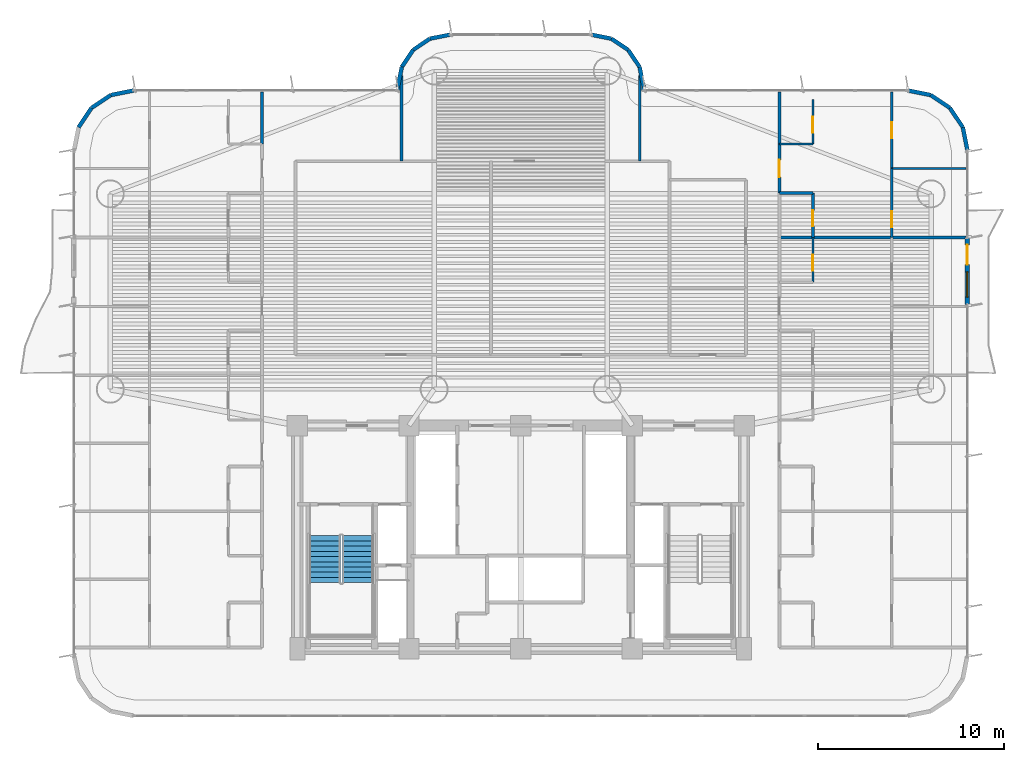
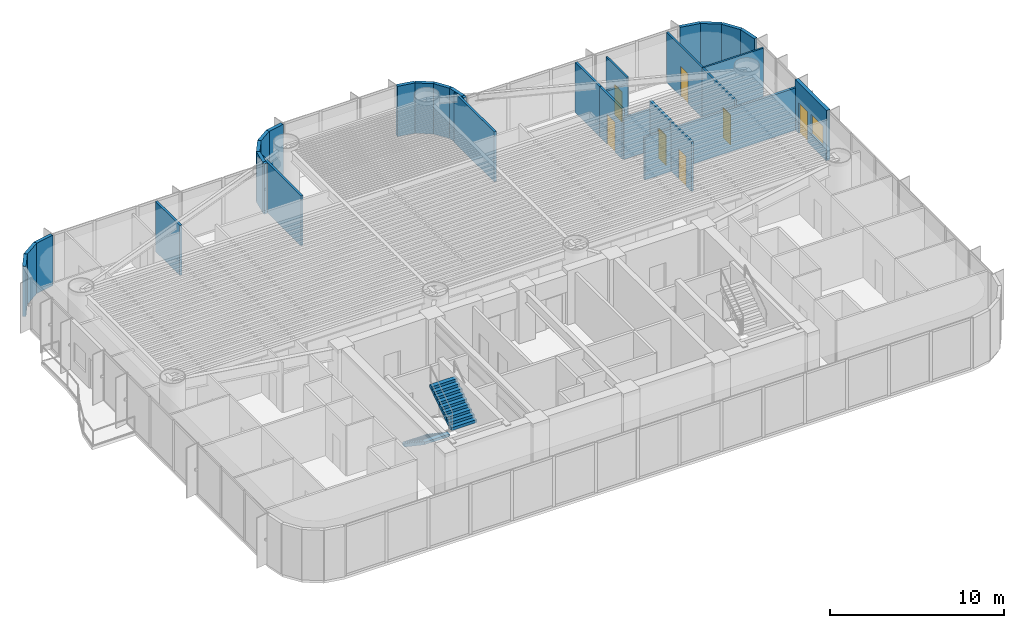
# One storey, part 14 of 19: 32 walls, 7 doors, 2 stair flights, 1 window, 8 openings, 1 element without a shape of its own.
"""IFC4 building model written with IfcOpenShell, lengths in metres."""

from ifc_helpers import new_model, si_unit, direction, frame, frame_2d, origin, origin_2d, place, context, subcontext, project, spatial, polyline, rectangle, outline, extrude, source, transform, mapped, material, layer, layer_set, type_object, element, fill, aggregate, save


model = new_model("IFC4")

# Units and contexts
model_context = context("Model", 3, precision=1e-05, world=origin(), true_north=direction((0.0, 1.0)))
body_context = subcontext(model_context, "Body", "Model", "MODEL_VIEW")
ifc_project = project(units=[si_unit("LENGTHUNIT", "METRE"), si_unit("AREAUNIT", "SQUARE_METRE"), si_unit("VOLUMEUNIT", "CUBIC_METRE"), si_unit("PLANEANGLEUNIT", "RADIAN"), si_unit("MASSUNIT", "GRAM", prefix="KILO")], contexts=[model_context])

# Site, building, storey
site_placement = place(None, origin())
site = spatial("IfcSite", under=ifc_project, at=site_placement, CompositionType="ELEMENT")
building_placement = place(site_placement, origin())
building = spatial("IfcBuilding", under=site, at=building_placement, Name="Brelvock Crest Care Tower", CompositionType="ELEMENT")
storey_placement = place(building_placement, frame((0.0, 0.0, 30.780029296875)))
storey = spatial("IfcBuildingStorey", under=building, at=storey_placement, Name="L07", CompositionType="ELEMENT", Elevation=30.780029296875)

# Wall, openings, door, window
ifc_material_1 = material(Name="Precast concrete N40 (40 MPa)", Category="concrete")
ifc_layer_1 = layer(ifc_material_1, 0.239990234375, Name="WL-EX1")
ifc_layer_set_1 = layer_set([ifc_layer_1], Name="Precast concrete N40 (40 MPa)")
wall_type_1 = type_object("IfcWallType", Name="WL-EX1", PredefinedType="SOLIDWALL", material=ifc_layer_set_1)
wall_1_placement = place(storey_placement, frame((60.0, 28.10009765625, 0.0), z_axis=(0.0, 0.0, 1.0), x_axis=(0.0, -1.0, 0.0)))
wall_1 = element("IfcWall", 1, at=wall_1_placement, inside=storey, type_object=wall_type_1, Name="L07 Exterior Spandrel Wall WL-BAL-L07-E", PredefinedType="SOLIDWALL", context=body_context, shape_type="SweptSolid", body=[
    extrude(rectangle(XDim=3.60009765625, YDim=0.239990234375, at=frame_2d((1.800048828125, 0.0))), origin(), (0.0, 0.0, 1.0), 3.530029296875),
])
opening_1_placement = place(wall_1_placement, frame((0.39990234375, 0.0, 0.0)))
opening_1 = element("IfcOpeningElement", 2, at=opening_1_placement, cuts=wall_1, Name="Opening BD-1", PredefinedType="OPENING", context=body_context, shape_type="SweptSolid", body=[
    extrude(rectangle(XDim=1.050048828125, YDim=2.14990234375, at=origin_2d()), frame((0.52490234375, 0.1298828125, 1.074951171875), z_axis=(0.0, -1.0, 0.0), x_axis=(1.0, 0.0, 0.0)), (0.0, 0.0, 1.0), 0.260009765625),
])
opening_2_placement = place(wall_1_placement, frame((1.85009765625, 0.0, 0.85009765625)))
opening_2 = element("IfcOpeningElement", 3, at=opening_2_placement, cuts=wall_1, Name="Opening W-01", PredefinedType="OPENING", context=body_context, shape_type="SweptSolid", body=[
    extrude(rectangle(XDim=1.35009765625, YDim=1.35009765625, at=origin_2d()), frame((0.675048828125, 0.1298828125, 0.675048828125), z_axis=(0.0, -1.0, 0.0), x_axis=(1.0, 0.0, 0.0)), (0.0, 0.0, 1.0), 0.260009765625),
])
ifc_material_2 = material(Name="Dark Glass Double Glazed Low-E", Category="glass")
door_type_1 = type_object("IfcDoorType", Name="DR-BAL1", OperationType="NOTDEFINED", PredefinedType="DOOR", material=ifc_material_2)
shared_shape_1 = source(origin(), body_context, "Body", "SweptSolid", [
    extrude(rectangle(XDim=1.050048828125, YDim=2.14990234375, at=origin_2d()), frame((0.52490234375, 0.02490234375, 1.074951171875), z_axis=(0.0, -1.0, 0.0), x_axis=(1.0, 0.0, 0.0)), (0.0, 0.0, 1.0), 0.050048828125),
])
door_1_placement = place(opening_1_placement, origin())
door_1 = element("IfcDoor", 4, at=door_1_placement, inside=storey, type_object=door_type_1, Name="L07 E Wave Balcony Glazed Door", OperationType="SINGLE_SWING_RIGHT", OverallHeight=2.14990234375, OverallWidth=1.050048828125, PredefinedType="DOOR", context=body_context, shape_type="MappedRepresentation", body=[
    mapped(shared_shape_1, transform((0.0, 0.0, 0.0), x_axis=(1.0, 0.0, 0.0), y_axis=(0.0, 1.0, 0.0), z_axis=(0.0, 0.0, 1.0), scale=1.0)),
])
fill(opening_1, door_1)
window_type = type_object("IfcWindowType", Name="WN-EX1", PartitioningType="SINGLE_PANEL", PredefinedType="WINDOW", material=ifc_material_2)
shared_shape_2 = source(origin(), body_context, "Body", "SweptSolid", [
    extrude(rectangle(XDim=1.35009765625, YDim=1.35009765625, at=origin_2d()), frame((0.675048828125, 0.030029296875, 0.675048828125), z_axis=(0.0, -1.0, 0.0), x_axis=(1.0, 0.0, 0.0)), (0.0, 0.0, 1.0), 0.06005859375),
])
window_placement = place(opening_2_placement, origin())
window = element("IfcWindow", 5, at=window_placement, inside=storey, type_object=window_type, Name="L07 E Suite Casement Window", OverallHeight=1.35009765625, OverallWidth=1.35009765625, PartitioningType="SINGLE_PANEL", PredefinedType="WINDOW", context=body_context, shape_type="MappedRepresentation", body=[
    mapped(shared_shape_2, transform((0.0, 0.0, 0.0), x_axis=(1.0, 0.0, 0.0), y_axis=(0.0, 1.0, 0.0), z_axis=(0.0, 0.0, 1.0), scale=1.0)),
])
fill(opening_2, window)

# Walls
ifc_layer_2 = layer(ifc_material_1, 0.215087890625, Name="WL-EX2")
ifc_layer_set_2 = layer_set([ifc_layer_2], Name="Precast concrete N40 (40 MPa)")
wall_type_2 = type_object("IfcWallType", Name="WL-EX2", PredefinedType="SOLIDWALL", material=ifc_layer_set_2)
for number, where, z_axis, x_axis, name in (
    (6, (58.024658203125, 35.75634765625, 0.0), (0.0, 0.0, 1.0), (0.831478245117, -0.555557312883, 0.0), "L07 Rounded Corner Wall 00"),
    (7, (59.062744140625, 35.062744140625, 0.0), (0.0, 0.0, 1.0), (0.555557312883, -0.831478245117, 0.0), "L07 Rounded Corner Wall 01"),
    (8, (59.75634765625, 34.024658203125, 0.0), (0.0, 0.0, 1.0), (0.195138390419, -0.980775717779, 0.0), "L07 Rounded Corner Wall 02"),
    (9, (12.24365234375, 34.024658203125, 0.0), (0.0, 0.0, 1.0), (0.555557312883, 0.831478245117, 0.0), "L07 Rounded Corner Wall 15"),
    (10, (12.937255859375, 35.062744140625, 0.0), (0.0, 0.0, 1.0), (0.831478245117, 0.555557312883, 0.0), "L07 Rounded Corner Wall 16"),
    (11, (13.975341796875, 35.75634765625, 0.0), (0.0, 0.0, 1.0), (0.980775717779, 0.195138390419, 0.0), "L07 Rounded Corner Wall 17"),
):
    element("IfcWall", number, at=place(storey_placement, frame(where, z_axis=z_axis, x_axis=x_axis)), inside=storey, type_object=wall_type_2, Name=name, PredefinedType="SOLIDWALL", context=body_context, shape_type="SweptSolid", body=[
        extrude(rectangle(XDim=1.24853515625, YDim=0.215087890625, at=frame_2d((0.624267578125, 0.0))), origin(), (0.0, 0.0, 1.0), 3.530029296875),
    ])
wall_2_placement = place(storey_placement, frame((29.39990234375, 36.0, 0.0), z_axis=(0.0, 0.0, 1.0), x_axis=(0.0, 1.0, 0.0)))
element("IfcWall", 12, at=wall_2_placement, inside=storey, type_object=wall_type_2, Name="L07 Rounded Corner Wall 19", PredefinedType="SOLIDWALL", context=body_context, shape_type="SweptSolid", body=[
    extrude(rectangle(XDim=0.199951171875, YDim=0.215087890625, at=frame_2d((0.10009765625, 0.0))), origin(), (0.0, 0.0, 1.0), 3.530029296875),
])
wall_3_placement = place(storey_placement, frame((29.39990234375, 36.199951171875, 0.0), z_axis=(0.0, 0.0, 1.0), x_axis=(0.195084651288, 0.980786408364, 0.0)))
element("IfcWall", 13, at=wall_3_placement, inside=storey, type_object=wall_type_2, Name="L07 Rounded Corner Wall 20", PredefinedType="SOLIDWALL", context=body_context, shape_type="SweptSolid", body=[
    extrude(rectangle(XDim=1.092529296875, YDim=0.215087890625, at=frame_2d((0.54638671875, 0.0))), origin(), (0.0, 0.0, 1.0), 3.530029296875),
])
wall_4_placement = place(storey_placement, frame((29.613037109375, 37.271484375, 0.0), z_axis=(0.0, 0.0, 1.0), x_axis=(0.555679482341, 0.831396603857, 0.0)))
element("IfcWall", 14, at=wall_4_placement, inside=storey, type_object=wall_type_2, Name="L07 Rounded Corner Wall 21", PredefinedType="SOLIDWALL", context=body_context, shape_type="SweptSolid", body=[
    extrude(rectangle(XDim=1.0927734375, YDim=0.215087890625, at=frame_2d((0.54638671875, 0.0))), origin(), (0.0, 0.0, 1.0), 3.530029296875),
])
wall_5_placement = place(storey_placement, frame((30.22021484375, 38.179931640625, 0.0), z_axis=(0.0, 0.0, 1.0), x_axis=(0.831430845238, 0.555628247651, 0.0)))
element("IfcWall", 15, at=wall_5_placement, inside=storey, type_object=wall_type_2, Name="L07 Rounded Corner Wall 22", PredefinedType="SOLIDWALL", context=body_context, shape_type="SweptSolid", body=[
    extrude(rectangle(XDim=1.09228515625, YDim=0.215087890625, at=frame_2d((0.546142578125, 0.0))), origin(), (0.0, 0.0, 1.0), 3.530029296875),
])
for number, where, z_axis, x_axis, name in (
    (16, (31.12841796875, 38.786865234375, 0.0), (0.0, 0.0, 1.0), (0.980786408364, 0.195084651288, 0.0), "L07 Rounded Corner Wall 23"),
    (17, (39.800048828125, 39.0, 0.0), (0.0, 0.0, 1.0), (0.980786408364, -0.195084651288, 0.0), "L07 Rounded Corner Wall 25"),
):
    element("IfcWall", number, at=place(storey_placement, frame(where, z_axis=z_axis, x_axis=x_axis)), inside=storey, type_object=wall_type_2, Name=name, PredefinedType="SOLIDWALL", context=body_context, shape_type="SweptSolid", body=[
        extrude(rectangle(XDim=1.092529296875, YDim=0.215087890625, at=frame_2d((0.54638671875, 0.0))), origin(), (0.0, 0.0, 1.0), 3.530029296875),
    ])
wall_6_placement = place(storey_placement, frame((40.87158203125, 38.786865234375, 0.0), z_axis=(0.0, 0.0, 1.0), x_axis=(0.831430845238, -0.555628247651, 0.0)))
element("IfcWall", 18, at=wall_6_placement, inside=storey, type_object=wall_type_2, Name="L07 Rounded Corner Wall 26", PredefinedType="SOLIDWALL", context=body_context, shape_type="SweptSolid", body=[
    extrude(rectangle(XDim=1.09228515625, YDim=0.215087890625, at=frame_2d((0.546142578125, 0.0))), origin(), (0.0, 0.0, 1.0), 3.530029296875),
])
wall_7_placement = place(storey_placement, frame((41.77978515625, 38.179931640625, 0.0), z_axis=(0.0, 0.0, 1.0), x_axis=(0.555679482341, -0.831396603857, 0.0)))
element("IfcWall", 19, at=wall_7_placement, inside=storey, type_object=wall_type_2, Name="L07 Rounded Corner Wall 27", PredefinedType="SOLIDWALL", context=body_context, shape_type="SweptSolid", body=[
    extrude(rectangle(XDim=1.0927734375, YDim=0.215087890625, at=frame_2d((0.54638671875, 0.0))), origin(), (0.0, 0.0, 1.0), 3.530029296875),
])
wall_8_placement = place(storey_placement, frame((42.386962890625, 37.271484375, 0.0), z_axis=(0.0, 0.0, 1.0), x_axis=(0.195084651288, -0.980786408364, 0.0)))
element("IfcWall", 20, at=wall_8_placement, inside=storey, type_object=wall_type_2, Name="L07 Rounded Corner Wall 28", PredefinedType="SOLIDWALL", context=body_context, shape_type="SweptSolid", body=[
    extrude(rectangle(XDim=1.092529296875, YDim=0.215087890625, at=frame_2d((0.54638671875, 0.0))), origin(), (0.0, 0.0, 1.0), 3.530029296875),
])
wall_9_placement = place(storey_placement, frame((42.60009765625, 36.199951171875, 0.0), z_axis=(0.0, 0.0, 1.0), x_axis=(0.0, -1.0, 0.0)))
element("IfcWall", 21, at=wall_9_placement, inside=storey, type_object=wall_type_2, Name="L07 Rounded Corner Wall 29", PredefinedType="SOLIDWALL", context=body_context, shape_type="SweptSolid", body=[
    extrude(rectangle(XDim=0.199951171875, YDim=0.215087890625, at=frame_2d((0.10009765625, 0.0))), origin(), (0.0, 0.0, 1.0), 3.530029296875),
])
wall_10_placement = place(storey_placement, frame((56.800048828125, 36.0, 0.0), z_axis=(0.0, 0.0, 1.0), x_axis=(0.980775717779, -0.195138390419, 0.0)))
element("IfcWall", 22, at=wall_10_placement, inside=storey, type_object=wall_type_2, Name="L07 Rounded Corner Wall 31", PredefinedType="SOLIDWALL", context=body_context, shape_type="SweptSolid", body=[
    extrude(rectangle(XDim=1.24853515625, YDim=0.215087890625, at=frame_2d((0.624267578125, 0.0))), origin(), (0.0, 0.0, 1.0), 3.530029296875),
])
ifc_material_3 = material(Name="Masonry Blockwork Acoustic Partition", Category="masonry")
ifc_layer_3 = layer(ifc_material_3, 0.14990234375, Name="WL-INT1")
ifc_layer_set_3 = layer_set([ifc_layer_3], Name="Masonry Blockwork Acoustic Partition")
wall_type_3 = type_object("IfcWallType", Name="WL-INT1", PredefinedType="PARTITIONING", material=ifc_layer_set_3)
wall_11_placement = place(storey_placement, frame((49.89990234375, 28.10009765625, 0.0), z_axis=(0.0, 0.0, 1.0), x_axis=(1.0, 0.0, 0.0)))
element("IfcWall", 23, at=wall_11_placement, inside=storey, type_object=wall_type_3, Name="L07 Interior Wall WL-BX-L07-FL-EW3-N", PredefinedType="PARTITIONING", context=body_context, shape_type="SweptSolid", body=[
    extrude(rectangle(XDim=10.02001953125, YDim=0.14990234375, at=frame_2d((5.010009765625, 0.0))), origin(), (0.0, 0.0, 1.0), 2.98193359375),
])
wall_12_placement = place(storey_placement, frame((22.10009765625, 33.1201171875, 0.0), z_axis=(0.0, 0.0, 1.0), x_axis=(0.0, 1.0, 0.0)))
element("IfcWall", 24, at=wall_12_placement, inside=storey, type_object=wall_type_3, Name="L07 Interior Wall WL-UCK-L07-WW4", PredefinedType="PARTITIONING", context=body_context, shape_type="SweptSolid", body=[
    extrude(rectangle(XDim=2.800537109375, YDim=0.14990234375, at=frame_2d((1.400390625, 0.0))), origin(), (0.0, 0.0, 1.0), 3.5),
])
for number, where, z_axis, x_axis, name in (
    (25, (29.60009765625, 32.199951171875, 0.0), (0.0, 0.0, 1.0), (0.0, 1.0, 0.0), "L07 Interior Wall WL-BX-L07-NHUB-W"),
    (26, (42.39990234375, 32.199951171875, 0.0), (0.0, 0.0, 1.0), (0.0, 1.0, 0.0), "L07 Interior Wall WL-BX-L07-NHUB-E"),
):
    element("IfcWall", number, at=place(storey_placement, frame(where, z_axis=z_axis, x_axis=x_axis)), inside=storey, type_object=wall_type_3, Name=name, PredefinedType="PARTITIONING", context=body_context, shape_type="SweptSolid", body=[
        extrude(rectangle(XDim=4.595458984375, YDim=0.14990234375, at=frame_2d((2.2978515625, 0.0))), origin(), (0.0, 0.0, 1.0), 3.5),
    ])

# Wall, opening, door
wall_13_placement = place(storey_placement, frame((49.89990234375, 30.5, 0.0), z_axis=(0.0, 0.0, 1.0), x_axis=(0.0, 1.0, 0.0)))
wall_13 = element("IfcWall", 27, at=wall_13_placement, inside=storey, type_object=wall_type_3, Name="L07 Interior Wall WL-UENT-L07-EW4", PredefinedType="PARTITIONING", context=body_context, shape_type="SweptSolid", body=[
    extrude(rectangle(XDim=2.6201171875, YDim=0.14990234375, at=frame_2d((1.31005859375, 0.0))), origin(), (0.0, 0.0, 1.0), 3.5),
])
opening_3_placement = place(wall_13_placement, frame((0.85009765625, 0.0, 0.0)))
opening_3 = element("IfcOpeningElement", 28, at=opening_3_placement, cuts=wall_13, Name="Opening AD-1", PredefinedType="OPENING", context=body_context, shape_type="SweptSolid", body=[
    extrude(rectangle(XDim=0.919921875, YDim=2.10009765625, at=origin_2d()), frame((0.4599609375, 0.0849609375, 1.050048828125), z_axis=(0.0, -1.0, 0.0), x_axis=(1.0, 0.0, 0.0)), (0.0, 0.0, 1.0), 0.169921875),
])
ifc_material_4 = material(Name="Engineered Hardwood Timber", Category="wood")
door_type_2 = type_object("IfcDoorType", Name="DR-APT1", OperationType="NOTDEFINED", PredefinedType="DOOR", material=ifc_material_4)
shared_shape_3 = source(origin(), body_context, "Body", "SweptSolid", [
    extrude(rectangle(XDim=0.919921875, YDim=2.10009765625, at=origin_2d()), frame((0.4599609375, 0.02490234375, 1.050048828125), z_axis=(0.0, -1.0, 0.0), x_axis=(1.0, 0.0, 0.0)), (0.0, 0.0, 1.0), 0.050048828125),
])
door_2_placement = place(opening_3_placement, origin())
door_2 = element("IfcDoor", 29, at=door_2_placement, inside=storey, type_object=door_type_2, Name="L07 Apartment Entrance EW4", OperationType="SINGLE_SWING_LEFT", OverallHeight=2.10009765625, OverallWidth=0.919921875, PredefinedType="DOOR", context=body_context, shape_type="MappedRepresentation", body=[
    mapped(shared_shape_3, transform((0.0, 0.0, 0.0), x_axis=(1.0, 0.0, 0.0), y_axis=(0.0, 1.0, 0.0), z_axis=(0.0, 0.0, 1.0), scale=1.0)),
])
fill(opening_3, door_2)

# Walls
wall_14_placement = place(storey_placement, frame((49.89990234375, 33.1201171875, 0.0), z_axis=(0.0, 0.0, 1.0), x_axis=(0.0, 1.0, 0.0)))
element("IfcWall", 30, at=wall_14_placement, inside=storey, type_object=wall_type_3, Name="L07 Interior Wall WL-UCK-L07-EW4", PredefinedType="PARTITIONING", context=body_context, shape_type="SweptSolid", body=[
    extrude(rectangle(XDim=2.800048828125, YDim=0.14990234375, at=frame_2d((1.39990234375, 0.0))), origin(), (0.0, 0.0, 1.0), 3.5),
])
ifc_material_5 = material(Name="Gypsum Plasterboard Partition", Category="gypsum")
ifc_layer_4 = layer(ifc_material_5, 0.1201171875, Name="WL-INT2")
ifc_layer_set_4 = layer_set([ifc_layer_4], Name="Gypsum Plasterboard Partition")
wall_type_4 = type_object("IfcWallType", Name="WL-INT2", PredefinedType="PARTITIONING", material=ifc_layer_set_4)
wall_15_placement = place(storey_placement, frame((55.93603515625, 31.81005859375, 0.0), z_axis=(0.0, 0.0, 1.0), x_axis=(1.0, 0.0, 0.0)))
element("IfcWall", 31, at=wall_15_placement, inside=storey, type_object=wall_type_4, Name="L07 Interior Wall WL-UBSP-L07-EW4", PredefinedType="PARTITIONING", context=body_context, shape_type="SweptSolid", body=[
    extrude(rectangle(XDim=3.98388671875, YDim=0.1201171875, at=frame_2d((1.991943359375, 0.0))), origin(), (0.0, 0.0, 1.0), 3.5),
])
wall_16_placement = place(storey_placement, frame((49.89990234375, 33.1201171875, 0.0), z_axis=(0.0, 0.0, 1.0), x_axis=(1.0, 0.0, 0.0)))
element("IfcWall", 32, at=wall_16_placement, inside=storey, type_object=wall_type_4, Name="L07 Interior Wall WL-UKIT2-L07-EW4", PredefinedType="PARTITIONING", context=body_context, shape_type="SweptSolid", body=[
    extrude(rectangle(XDim=1.800048828125, YDim=0.1201171875, at=frame_2d((0.89990234375, 0.0))), origin(), (0.0, 0.0, 1.0), 3.054931640625),
])

# Wall, opening, door
wall_17_placement = place(storey_placement, frame((51.699951171875, 25.699951171875, 0.0), z_axis=(0.0, 0.0, 1.0), x_axis=(0.0, 1.0, 0.0)))
wall_17 = element("IfcWall", 33, at=wall_17_placement, inside=storey, type_object=wall_type_4, Name="L07 Interior Wall WL-UKIT1-L07-EW3", PredefinedType="PARTITIONING", context=body_context, shape_type="SweptSolid", body=[
    extrude(rectangle(XDim=2.400146484375, YDim=0.1201171875, at=frame_2d((1.2001953125, 0.0))), origin(), (0.0, 0.0, 1.0), 3.5),
])
opening_4_placement = place(wall_17_placement, frame((0.6201171875, 0.0, 0.0)))
opening_4 = element("IfcOpeningElement", 34, at=opening_4_placement, cuts=wall_17, Name="Opening ID-1", PredefinedType="OPENING", context=body_context, shape_type="SweptSolid", body=[
    extrude(rectangle(XDim=0.860107421875, YDim=2.10009765625, at=origin_2d()), frame((0.43017578125, 0.070068359375, 1.050048828125), z_axis=(0.0, -1.0, 0.0), x_axis=(1.0, 0.0, 0.0)), (0.0, 0.0, 1.0), 0.14013671875),
])
door_type_3 = type_object("IfcDoorType", Name="DR-INT1", OperationType="NOTDEFINED", PredefinedType="DOOR", material=ifc_material_4)
shared_shape_4 = source(origin(), body_context, "Body", "SweptSolid", [
    extrude(rectangle(XDim=0.860107421875, YDim=2.10009765625, at=origin_2d()), frame((0.43017578125, 0.02490234375, 1.050048828125), z_axis=(0.0, -1.0, 0.0), x_axis=(1.0, 0.0, 0.0)), (0.0, 0.0, 1.0), 0.050048828125),
])
door_3_placement = place(opening_4_placement, origin())
door_3 = element("IfcDoor", 35, at=door_3_placement, inside=storey, type_object=door_type_3, Name="L07 Kitchen Door EW3", OperationType="SINGLE_SWING_RIGHT", OverallHeight=2.10009765625, OverallWidth=0.860107421875, PredefinedType="DOOR", context=body_context, shape_type="MappedRepresentation", body=[
    mapped(shared_shape_4, transform((0.0, 0.0, 0.0), x_axis=(1.0, 0.0, 0.0), y_axis=(0.0, 1.0, 0.0), z_axis=(0.0, 0.0, 1.0), scale=1.0)),
])
fill(opening_4, door_3)

wall_18_placement = place(storey_placement, frame((51.699951171875, 33.1201171875, 0.0), z_axis=(0.0, 0.0, 1.0), x_axis=(0.0, 1.0, 0.0)))
wall_18 = element("IfcWall", 36, at=wall_18_placement, inside=storey, type_object=wall_type_4, Name="L07 Interior Wall WL-UKIT1-L07-EW4", PredefinedType="PARTITIONING", context=body_context, shape_type="SweptSolid", body=[
    extrude(rectangle(XDim=2.39990234375, YDim=0.1201171875, at=frame_2d((1.199951171875, 0.0))), origin(), (0.0, 0.0, 1.0), 3.5),
])
opening_5_placement = place(wall_18_placement, frame((0.6201171875, 0.0, 0.0)))
opening_5 = element("IfcOpeningElement", 37, at=opening_5_placement, cuts=wall_18, Name="Opening ID-1", PredefinedType="OPENING", context=body_context, shape_type="SweptSolid", body=[
    extrude(rectangle(XDim=0.860107421875, YDim=2.10009765625, at=origin_2d()), frame((0.43017578125, 0.070068359375, 1.050048828125), z_axis=(0.0, -1.0, 0.0), x_axis=(1.0, 0.0, 0.0)), (0.0, 0.0, 1.0), 0.14013671875),
])
door_4_placement = place(opening_5_placement, origin())
door_4 = element("IfcDoor", 38, at=door_4_placement, inside=storey, type_object=door_type_3, Name="L07 Kitchen Door EW4", OperationType="SINGLE_SWING_RIGHT", OverallHeight=2.10009765625, OverallWidth=0.860107421875, PredefinedType="DOOR", context=body_context, shape_type="MappedRepresentation", body=[
    mapped(shared_shape_4, transform((0.0, 0.0, 0.0), x_axis=(1.0, 0.0, 0.0), y_axis=(0.0, 1.0, 0.0), z_axis=(0.0, 0.0, 1.0), scale=1.0)),
])
fill(opening_5, door_4)

wall_19_placement = place(storey_placement, frame((55.93603515625, 28.10009765625, 0.0), z_axis=(0.0, 0.0, 1.0), x_axis=(0.0, 1.0, 0.0)))
wall_19 = element("IfcWall", 39, at=wall_19_placement, inside=storey, type_object=wall_type_4, Name="L07 Interior Wall WL-UBD1-L07-EW4", PredefinedType="PARTITIONING", context=body_context, shape_type="SweptSolid", body=[
    extrude(rectangle(XDim=3.7099609375, YDim=0.1201171875, at=frame_2d((1.85498046875, 0.0))), origin(), (0.0, 0.0, 1.0), 3.5),
])
opening_6_placement = place(wall_19_placement, frame((0.544921875, 0.0, 0.0)))
opening_6 = element("IfcOpeningElement", 40, at=opening_6_placement, cuts=wall_19, Name="Opening ID-1", PredefinedType="OPENING", context=body_context, shape_type="SweptSolid", body=[
    extrude(rectangle(XDim=0.860107421875, YDim=2.10009765625, at=origin_2d()), frame((0.43017578125, 0.070068359375, 1.050048828125), z_axis=(0.0, -1.0, 0.0), x_axis=(1.0, 0.0, 0.0)), (0.0, 0.0, 1.0), 0.14013671875),
])
door_5_placement = place(opening_6_placement, origin())
door_5 = element("IfcDoor", 41, at=door_5_placement, inside=storey, type_object=door_type_3, Name="L07 Primary Bedroom Door EW4", OperationType="SINGLE_SWING_RIGHT", OverallHeight=2.10009765625, OverallWidth=0.860107421875, PredefinedType="DOOR", context=body_context, shape_type="MappedRepresentation", body=[
    mapped(shared_shape_4, transform((0.0, 0.0, 0.0), x_axis=(1.0, 0.0, 0.0), y_axis=(0.0, 1.0, 0.0), z_axis=(0.0, 0.0, 1.0), scale=1.0)),
])
fill(opening_6, door_5)

wall_20_placement = place(storey_placement, frame((55.93603515625, 31.81005859375, 0.0), z_axis=(0.0, 0.0, 1.0), x_axis=(0.0, 1.0, 0.0)))
wall_20 = element("IfcWall", 42, at=wall_20_placement, inside=storey, type_object=wall_type_4, Name="L07 Interior Wall WL-UBD2-L07-EW4", PredefinedType="PARTITIONING", context=body_context, shape_type="SweptSolid", body=[
    extrude(rectangle(XDim=4.10986328125, YDim=0.1201171875, at=frame_2d((2.054931640625, 0.0))), origin(), (0.0, 0.0, 1.0), 3.5),
])
opening_7_placement = place(wall_20_placement, frame((1.625, 0.0, 0.0)))
opening_7 = element("IfcOpeningElement", 43, at=opening_7_placement, cuts=wall_20, Name="Opening ID-1", PredefinedType="OPENING", context=body_context, shape_type="SweptSolid", body=[
    extrude(rectangle(XDim=0.860107421875, YDim=2.10009765625, at=origin_2d()), frame((0.43017578125, 0.070068359375, 1.050048828125), z_axis=(0.0, -1.0, 0.0), x_axis=(1.0, 0.0, 0.0)), (0.0, 0.0, 1.0), 0.14013671875),
])
door_6_placement = place(opening_7_placement, origin())
door_6 = element("IfcDoor", 44, at=door_6_placement, inside=storey, type_object=door_type_3, Name="L07 Second Room Door EW4", OperationType="SINGLE_SWING_LEFT", OverallHeight=2.10009765625, OverallWidth=0.860107421875, PredefinedType="DOOR", context=body_context, shape_type="MappedRepresentation", body=[
    mapped(shared_shape_4, transform((0.0, 0.0, 0.0), x_axis=(1.0, 0.0, 0.0), y_axis=(0.0, 1.0, 0.0), z_axis=(0.0, 0.0, 1.0), scale=1.0)),
])
fill(opening_7, door_6)

# Wall
ifc_layer_5 = layer(ifc_material_5, 0.159912109375, Name="WL-PLM1")
ifc_layer_set_5 = layer_set([ifc_layer_5], Name="Gypsum Plasterboard Partition")
wall_type_5 = type_object("IfcWallType", Name="WL-PLM1", PredefinedType="PLUMBINGWALL", material=ifc_layer_set_5)
wall_21_placement = place(storey_placement, frame((49.89990234375, 30.5, 0.0), z_axis=(0.0, 0.0, 1.0), x_axis=(1.0, 0.0, 0.0)))
element("IfcWall", 45, at=wall_21_placement, inside=storey, type_object=wall_type_5, Name="L07 Interior Wall WL-UBTH2-L07-EW4", PredefinedType="PLUMBINGWALL", context=body_context, shape_type="SweptSolid", body=[
    extrude(rectangle(XDim=1.800048828125, YDim=0.159912109375, at=frame_2d((0.89990234375, 0.0))), origin(), (0.0, 0.0, 1.0), 2.903076171875),
])

# Wall, opening, door
wall_22_placement = place(storey_placement, frame((51.699951171875, 28.10009765625, 0.0), z_axis=(0.0, 0.0, 1.0), x_axis=(0.0, 1.0, 0.0)))
wall_22 = element("IfcWall", 46, at=wall_22_placement, inside=storey, type_object=wall_type_5, Name="L07 Interior Wall WL-UBTH1-L07-EW4", PredefinedType="PLUMBINGWALL", context=body_context, shape_type="SweptSolid", body=[
    extrude(rectangle(XDim=2.39990234375, YDim=0.159912109375, at=frame_2d((1.199951171875, 0.0))), origin(), (0.0, 0.0, 1.0), 3.5),
])
opening_8_placement = place(wall_22_placement, frame((0.60009765625, 0.0, 0.0)))
opening_8 = element("IfcOpeningElement", 47, at=opening_8_placement, cuts=wall_22, Name="Opening WD-1", PredefinedType="OPENING", context=body_context, shape_type="SweptSolid", body=[
    extrude(rectangle(XDim=0.860107421875, YDim=2.10009765625, at=origin_2d()), frame((0.43017578125, 0.08984375, 1.050048828125), z_axis=(0.0, -1.0, 0.0), x_axis=(1.0, 0.0, 0.0)), (0.0, 0.0, 1.0), 0.179931640625),
])
door_type_4 = type_object("IfcDoorType", Name="DR-WC1", OperationType="NOTDEFINED", PredefinedType="DOOR", material=ifc_material_4)
shared_shape_5 = source(origin(), body_context, "Body", "SweptSolid", [
    extrude(rectangle(XDim=0.860107421875, YDim=2.10009765625, at=origin_2d()), frame((0.43017578125, 0.02490234375, 1.050048828125), z_axis=(0.0, -1.0, 0.0), x_axis=(1.0, 0.0, 0.0)), (0.0, 0.0, 1.0), 0.050048828125),
])
door_7_placement = place(opening_8_placement, origin())
door_7 = element("IfcDoor", 48, at=door_7_placement, inside=storey, type_object=door_type_4, Name="L07 Bathroom Door EW4", OperationType="SINGLE_SWING_LEFT", OverallHeight=2.10009765625, OverallWidth=0.860107421875, PredefinedType="DOOR", context=body_context, shape_type="MappedRepresentation", body=[
    mapped(shared_shape_5, transform((0.0, 0.0, 0.0), x_axis=(1.0, 0.0, 0.0), y_axis=(0.0, 1.0, 0.0), z_axis=(0.0, 0.0, 1.0), scale=1.0)),
])
fill(opening_8, door_7)

# Stair, stair flights
ifc_material_6 = material(Name="Concrete N40 (40 MPa)", Category="concrete")
stair_type = type_object("IfcStairType", Name="ST-CORE1", PredefinedType="HALF_TURN_STAIR", material=ifc_material_6)
stair_placement = place(storey_placement, origin())
stair = element("IfcStair", 49, at=stair_placement, inside=storey, type_object=stair_type, Name="L07 Fire-Isolated Core Stair ST-1", PredefinedType="HALF_TURN_STAIR")
stair_flight_type = type_object("IfcStairFlightType", Name="STF-1", PredefinedType="STRAIGHT", material=ifc_material_6)
stair_flight_1_placement = place(storey_placement, frame((25.469970703125, 12.080078125, 0.0), z_axis=(0.0, 0.0, 1.0), x_axis=(0.0, -1.0, 0.0)))
stair_flight_1 = element("IfcStairFlight", 50, at=stair_flight_1_placement, type_object=stair_flight_type, Name="ST-1 flight 1", NumberOfRisers=10, NumberOfTreads=9, PredefinedType="STRAIGHT", RiserHeight=0.189, TreadLength=0.28, context=body_context, shape_type="SweptSolid", body=[
    extrude(outline(polyline([(-0.00390625, -0.014892578125), (-0.00390625, -0.0078125), (-0.00390625, -0.00048828125), (-0.00390625, 0.0068359375), (-0.00390625, 0.01416015625), (-0.00390625, 0.021484375), (-0.00390625, 0.02880859375), (-0.00390625, 0.035888671875), (-0.00390625, 0.043212890625), (-0.00390625, 0.050537109375), (-0.00390625, 0.057861328125), (-0.00390625, 0.065185546875), (-0.00390625, 0.072509765625), (-0.00390625, 0.07958984375), (-0.00390625, 0.0869140625), (-0.00390625, 0.09423828125), (-0.00390625, 0.1015625), (-0.00390625, 0.10888671875), (-0.00390625, 0.1162109375), (-0.00390625, 0.12353515625), (-0.00390625, 0.130615234375), (-0.00390625, 0.137939453125), (-0.00390625, 0.145263671875), (-0.00390625, 0.152587890625), (-0.00390625, 0.159912109375), (-0.00390625, 0.167236328125), (-0.00390625, 0.17431640625), (-0.00390625, 0.181640625), (-0.00390625, 0.18896484375), (0.0, 0.18896484375), (0.280029296875, 0.18896484375), (0.280029296875, 0.3779296875), (0.56005859375, 0.3779296875), (0.56005859375, 0.56689453125), (0.840087890625, 0.56689453125), (0.840087890625, 0.756103515625), (1.1201171875, 0.756103515625), (1.1201171875, 0.945068359375), (1.39990234375, 0.945068359375), (1.39990234375, 1.134033203125), (1.679931640625, 1.134033203125), (1.679931640625, 1.322998046875), (1.9599609375, 1.322998046875), (1.9599609375, 1.511962890625), (2.239990234375, 1.511962890625), (2.239990234375, 1.700927734375), (2.52001953125, 1.700927734375), (2.52392578125, 1.700927734375), (2.523681640625, 1.70068359375), (2.52392578125, 1.700439453125), (2.523681640625, 1.699951171875), (2.52392578125, 1.69970703125), (2.523681640625, 1.699462890625), (2.52392578125, 1.698974609375), (2.523681640625, 1.69873046875), (2.52392578125, 1.698486328125), (2.523681640625, 1.697998046875), (2.52392578125, 1.69775390625), (2.523681640625, 1.697509765625), (2.52392578125, 1.697021484375), (2.523681640625, 1.69677734375), (2.52392578125, 1.696533203125), (2.523681640625, 1.6962890625), (2.52392578125, 1.69580078125), (2.523681640625, 1.695556640625), (2.52392578125, 1.6953125), (2.523681640625, 1.69482421875), (2.52392578125, 1.694580078125), (2.523681640625, 1.6943359375), (2.52392578125, 1.69384765625), (2.523681640625, 1.693603515625), (2.52392578125, 1.693359375), (2.523681640625, 1.69287109375), (2.52392578125, 1.692626953125), (2.523681640625, 1.6923828125), (2.52392578125, 1.69189453125), (2.52001953125, 1.520263671875), (0.267822265625, 0.0), (0.0, 0.0), (0.0, -0.014892578125), (-0.00390625, -0.014892578125)])), frame((0.0, 0.83984375, 0.0), z_axis=(0.0, -1.0, 0.0), x_axis=(1.0, 0.0, 0.0)), (0.0, 0.0, 1.0), 1.679931640625),
])
stair_flight_2_placement = place(storey_placement, frame((27.27001953125, 9.56005859375, 1.889892578125), z_axis=(0.0, 0.0, 1.0), x_axis=(0.0, 1.0, 0.0)))
stair_flight_2 = element("IfcStairFlight", 51, at=stair_flight_2_placement, type_object=stair_flight_type, Name="ST-1 flight 2", NumberOfRisers=10, NumberOfTreads=9, PredefinedType="STRAIGHT", RiserHeight=0.189, TreadLength=0.28, context=body_context, shape_type="SweptSolid", body=[
    extrude(outline(polyline([(-0.00390625, -0.014892578125), (-0.00390625, -0.0078125), (-0.00390625, -0.00048828125), (-0.00390625, 0.0068359375), (-0.00390625, 0.01416015625), (-0.00390625, 0.021484375), (-0.00390625, 0.02880859375), (-0.00390625, 0.035888671875), (-0.00390625, 0.043212890625), (-0.00390625, 0.050537109375), (-0.00390625, 0.057861328125), (-0.00390625, 0.065185546875), (-0.00390625, 0.072509765625), (-0.00390625, 0.07958984375), (-0.00390625, 0.0869140625), (-0.00390625, 0.09423828125), (-0.00390625, 0.1015625), (-0.00390625, 0.10888671875), (-0.00390625, 0.1162109375), (-0.00390625, 0.12353515625), (-0.00390625, 0.130615234375), (-0.00390625, 0.137939453125), (-0.00390625, 0.145263671875), (-0.00390625, 0.152587890625), (-0.00390625, 0.159912109375), (-0.00390625, 0.167236328125), (-0.00390625, 0.17431640625), (-0.00390625, 0.181640625), (-0.00390625, 0.18896484375), (0.0, 0.18896484375), (0.280029296875, 0.18896484375), (0.280029296875, 0.3779296875), (0.56005859375, 0.3779296875), (0.56005859375, 0.56689453125), (0.840087890625, 0.56689453125), (0.840087890625, 0.756103515625), (1.1201171875, 0.756103515625), (1.1201171875, 0.945068359375), (1.39990234375, 0.945068359375), (1.39990234375, 1.134033203125), (1.679931640625, 1.134033203125), (1.679931640625, 1.322998046875), (1.9599609375, 1.322998046875), (1.9599609375, 1.511962890625), (2.239990234375, 1.511962890625), (2.239990234375, 1.700927734375), (2.52001953125, 1.700927734375), (2.52392578125, 1.700927734375), (2.523681640625, 1.70068359375), (2.52392578125, 1.700439453125), (2.523681640625, 1.699951171875), (2.52392578125, 1.69970703125), (2.523681640625, 1.699462890625), (2.52392578125, 1.698974609375), (2.523681640625, 1.69873046875), (2.52392578125, 1.698486328125), (2.523681640625, 1.697998046875), (2.52392578125, 1.69775390625), (2.523681640625, 1.697509765625), (2.52392578125, 1.697021484375), (2.523681640625, 1.69677734375), (2.52392578125, 1.696533203125), (2.523681640625, 1.6962890625), (2.52392578125, 1.69580078125), (2.523681640625, 1.695556640625), (2.52392578125, 1.6953125), (2.523681640625, 1.69482421875), (2.52392578125, 1.694580078125), (2.523681640625, 1.6943359375), (2.52392578125, 1.69384765625), (2.523681640625, 1.693603515625), (2.52392578125, 1.693359375), (2.523681640625, 1.69287109375), (2.52392578125, 1.692626953125), (2.523681640625, 1.6923828125), (2.52392578125, 1.69189453125), (2.52001953125, 1.520263671875), (0.267822265625, 0.0), (0.0, 0.0), (0.0, -0.014892578125), (-0.00390625, -0.014892578125)])), frame((0.0, 0.83984375, 0.0), z_axis=(0.0, -1.0, 0.0), x_axis=(1.0, 0.0, 0.0)), (0.0, 0.0, 1.0), 1.679931640625),
])
aggregate(stair, [stair_flight_1, stair_flight_2])

save(model, "model.ifc")
